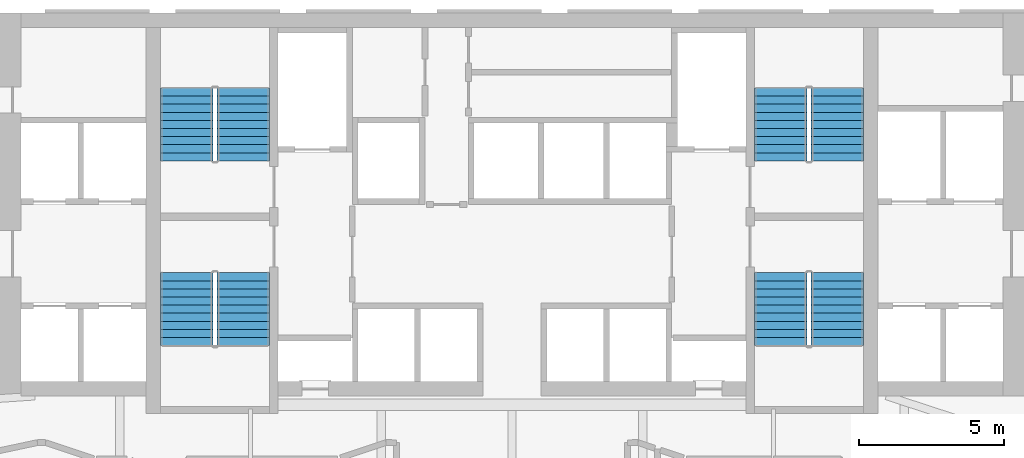
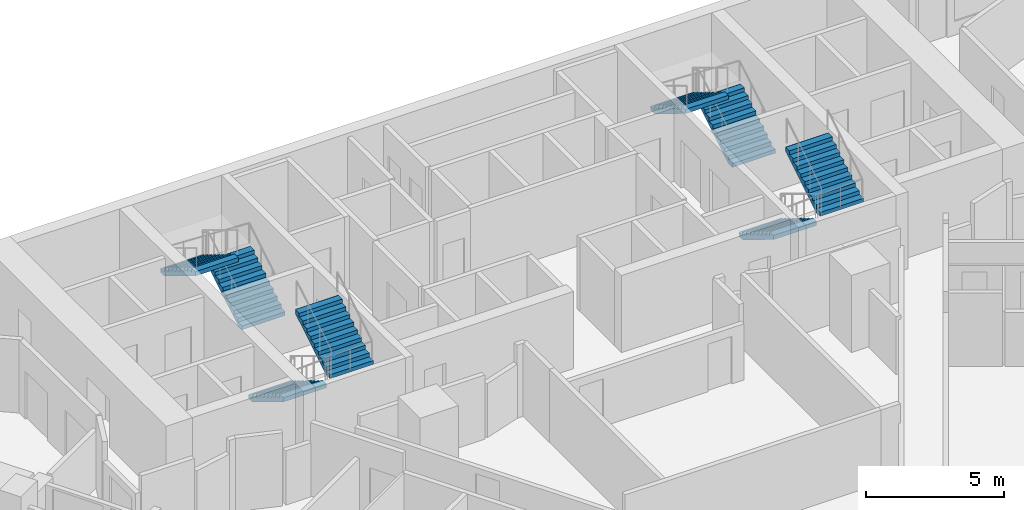
# One storey, part 9 of 10: 8 stair flights, 4 elements without a shape of their own.
"""IFC4 building model written with IfcOpenShell, lengths in metres."""

from ifc_helpers import new_model, si_unit, direction, frame, origin, place, context, subcontext, project, spatial, faceted_brep, source, transform, mapped, material, type_object, element, aggregate, save


model = new_model("IFC4")

# Units and contexts
model_context = context("Model", 3, precision=1e-05, world=origin(), true_north=direction((0.0, 1.0)))
body_context = subcontext(model_context, "Body", "Model", "MODEL_VIEW")
ifc_project = project(units=[si_unit("LENGTHUNIT", "METRE"), si_unit("AREAUNIT", "SQUARE_METRE"), si_unit("VOLUMEUNIT", "CUBIC_METRE"), si_unit("PLANEANGLEUNIT", "RADIAN"), si_unit("MASSUNIT", "GRAM", prefix="KILO")], contexts=[model_context])

# Site, building, storey
site_placement = place(None, origin())
site = spatial("IfcSite", under=ifc_project, at=site_placement, CompositionType="ELEMENT")
building_placement = place(site_placement, origin())
building = spatial("IfcBuilding", under=site, at=building_placement, Name="Calabash Gate Tower", CompositionType="ELEMENT")
storey_placement = place(building_placement, frame((0.0, 0.0, 56.199951171875)))
storey = spatial("IfcBuildingStorey", under=building, at=storey_placement, Name="L09", CompositionType="ELEMENT", Elevation=56.199951171875)

# Stair, stair flights
ifc_material_1 = material(Name="Concrete C40/50", Category="concrete")
stair_type = type_object("IfcStairType", Name="Exit stair 20 risers of 170 mm", PredefinedType="HALF_TURN_STAIR", material=ifc_material_1)
stair_1_placement = place(storey_placement, origin())
stair_1 = element("IfcStair", 1, at=stair_1_placement, inside=storey, type_object=stair_type, Name="L09 Exit stair ST1", PredefinedType="HALF_TURN_STAIR")
ifc_material_2 = material(Name="Concrete C40/50", Category="concrete")
stair_flight_type = type_object("IfcStairFlightType", Name="Exit stair flight SFL", PredefinedType="STRAIGHT", material=ifc_material_2)
shared_shape = source(origin(), body_context, "Body", "Brep", [
    faceted_brep([(-0.0009765625, -0.89990234375, 0.0), (0.2880859375, -0.89990234375, 0.0), (2.511962890625, -0.89990234375, 1.3544921875), (-0.0009765625, 0.89990234375, 0.0), (2.511962890625, 0.89990234375, 1.3544921875), (0.2880859375, 0.89990234375, 0.0), (2.511962890625, -0.89990234375, 1.5419921875), (2.510986328125, -0.89990234375, 1.5419921875), (2.510986328125, 0.89990234375, 1.5419921875), (2.511962890625, 0.89990234375, 1.5419921875), (2.510986328125, -0.89990234375, 1.530029296875), (2.510986328125, 0.89990234375, 1.530029296875), (2.23193359375, -0.89990234375, 1.530029296875), (2.23193359375, 0.89990234375, 1.530029296875), (2.23193359375, -0.89990234375, 1.360107421875), (2.23193359375, 0.89990234375, 1.360107421875), (1.952880859375, -0.89990234375, 1.360107421875), (1.952880859375, 0.89990234375, 1.360107421875), (1.952880859375, -0.89990234375, 1.18994140625), (1.952880859375, 0.89990234375, 1.18994140625), (1.674072265625, -0.89990234375, 1.18994140625), (1.674072265625, -0.89990234375, 1.02001953125), (1.674072265625, 0.89990234375, 1.02001953125), (1.674072265625, 0.89990234375, 1.18994140625), (1.39501953125, -0.89990234375, 1.02001953125), (1.39501953125, -0.89990234375, 0.85009765625), (1.39501953125, 0.89990234375, 0.85009765625), (1.39501953125, 0.89990234375, 1.02001953125), (1.115966796875, -0.89990234375, 0.85009765625), (1.115966796875, -0.89990234375, 0.679931640625), (1.115966796875, 0.89990234375, 0.679931640625), (1.115966796875, 0.89990234375, 0.85009765625), (0.8369140625, -0.89990234375, 0.679931640625), (0.8369140625, -0.89990234375, 0.510009765625), (0.8369140625, 0.89990234375, 0.510009765625), (0.8369140625, 0.89990234375, 0.679931640625), (0.55810546875, -0.89990234375, 0.510009765625), (0.55810546875, -0.89990234375, 0.340087890625), (0.55810546875, 0.89990234375, 0.340087890625), (0.55810546875, 0.89990234375, 0.510009765625), (0.279052734375, -0.89990234375, 0.340087890625), (0.279052734375, -0.89990234375, 0.169921875), (0.279052734375, 0.89990234375, 0.169921875), (0.279052734375, 0.89990234375, 0.340087890625), (-0.0009765625, -0.89990234375, 0.169921875), (-0.0009765625, 0.89990234375, 0.169921875), (0.2880859375, -0.360107421875, 0.0), (2.511962890625, -0.360107421875, 1.3544921875), (0.2880859375, -0.179931640625, 0.0), (2.511962890625, -0.179931640625, 1.3544921875), (0.2880859375, 0.0, 0.0), (2.511962890625, 0.0, 1.3544921875), (0.2880859375, 0.179931640625, 0.0), (2.511962890625, 0.179931640625, 1.3544921875), (0.2880859375, 0.360107421875, 0.0), (2.511962890625, 0.360107421875, 1.3544921875), (2.511962890625, -0.360107421875, 1.5419921875), (2.511962890625, -0.179931640625, 1.5419921875), (2.511962890625, 0.0, 1.5419921875), (2.511962890625, 0.179931640625, 1.5419921875), (2.511962890625, 0.360107421875, 1.5419921875), (2.510986328125, -0.360107421875, 1.5419921875), (2.510986328125, -0.179931640625, 1.5419921875), (2.510986328125, 0.0, 1.5419921875), (2.510986328125, 0.179931640625, 1.5419921875), (2.510986328125, 0.360107421875, 1.5419921875), (2.510986328125, -0.360107421875, 1.530029296875), (2.510986328125, -0.179931640625, 1.530029296875), (2.510986328125, 0.0, 1.530029296875), (2.510986328125, 0.179931640625, 1.530029296875), (2.510986328125, 0.360107421875, 1.530029296875), (2.23193359375, -0.360107421875, 1.530029296875), (2.23193359375, -0.179931640625, 1.530029296875), (2.23193359375, 0.0, 1.530029296875), (2.23193359375, 0.179931640625, 1.530029296875), (2.23193359375, 0.360107421875, 1.530029296875), (2.23193359375, -0.360107421875, 1.360107421875), (2.23193359375, -0.179931640625, 1.360107421875), (2.23193359375, 0.0, 1.360107421875), (2.23193359375, 0.179931640625, 1.360107421875), (2.23193359375, 0.360107421875, 1.360107421875), (1.952880859375, -0.360107421875, 1.360107421875), (1.952880859375, -0.179931640625, 1.360107421875), (1.952880859375, 0.0, 1.360107421875), (1.952880859375, 0.179931640625, 1.360107421875), (1.952880859375, 0.360107421875, 1.360107421875), (1.952880859375, -0.360107421875, 1.18994140625), (1.952880859375, -0.179931640625, 1.18994140625), (1.952880859375, 0.0, 1.18994140625), (1.952880859375, 0.179931640625, 1.18994140625), (1.952880859375, 0.360107421875, 1.18994140625), (1.674072265625, -0.360107421875, 1.18994140625), (1.674072265625, -0.179931640625, 1.18994140625), (1.674072265625, 0.0, 1.18994140625), (1.674072265625, 0.179931640625, 1.18994140625), (1.674072265625, 0.360107421875, 1.18994140625), (1.674072265625, -0.360107421875, 1.02001953125), (1.674072265625, -0.179931640625, 1.02001953125), (1.674072265625, 0.0, 1.02001953125), (1.674072265625, 0.179931640625, 1.02001953125), (1.674072265625, 0.360107421875, 1.02001953125), (1.39501953125, -0.360107421875, 1.02001953125), (1.39501953125, -0.179931640625, 1.02001953125), (1.39501953125, 0.0, 1.02001953125), (1.39501953125, 0.179931640625, 1.02001953125), (1.39501953125, 0.360107421875, 1.02001953125), (1.39501953125, -0.360107421875, 0.85009765625), (1.39501953125, -0.179931640625, 0.85009765625), (1.39501953125, 0.0, 0.85009765625), (1.39501953125, 0.179931640625, 0.85009765625), (1.39501953125, 0.360107421875, 0.85009765625), (1.115966796875, -0.360107421875, 0.85009765625), (1.115966796875, -0.179931640625, 0.85009765625), (1.115966796875, 0.0, 0.85009765625), (1.115966796875, 0.179931640625, 0.85009765625), (1.115966796875, 0.360107421875, 0.85009765625), (1.115966796875, -0.360107421875, 0.679931640625), (1.115966796875, -0.179931640625, 0.679931640625), (1.115966796875, 0.0, 0.679931640625), (1.115966796875, 0.179931640625, 0.679931640625), (1.115966796875, 0.360107421875, 0.679931640625), (0.8369140625, -0.360107421875, 0.679931640625), (0.8369140625, -0.179931640625, 0.679931640625), (0.8369140625, 0.0, 0.679931640625), (0.8369140625, 0.179931640625, 0.679931640625), (0.8369140625, 0.360107421875, 0.679931640625), (0.8369140625, -0.360107421875, 0.510009765625), (0.8369140625, -0.179931640625, 0.510009765625), (0.8369140625, 0.0, 0.510009765625), (0.8369140625, 0.179931640625, 0.510009765625), (0.8369140625, 0.360107421875, 0.510009765625), (0.55810546875, -0.360107421875, 0.510009765625), (0.55810546875, -0.179931640625, 0.510009765625), (0.55810546875, 0.0, 0.510009765625), (0.55810546875, 0.179931640625, 0.510009765625), (0.55810546875, 0.360107421875, 0.510009765625), (0.55810546875, -0.360107421875, 0.340087890625), (0.55810546875, -0.179931640625, 0.340087890625), (0.55810546875, 0.0, 0.340087890625), (0.55810546875, 0.179931640625, 0.340087890625), (0.55810546875, 0.360107421875, 0.340087890625), (0.279052734375, -0.360107421875, 0.340087890625), (0.279052734375, -0.179931640625, 0.340087890625), (0.279052734375, 0.0, 0.340087890625), (0.279052734375, 0.179931640625, 0.340087890625), (0.279052734375, 0.360107421875, 0.340087890625), (0.279052734375, -0.360107421875, 0.169921875), (0.279052734375, -0.179931640625, 0.169921875), (0.279052734375, 0.0, 0.169921875), (0.279052734375, 0.179931640625, 0.169921875), (0.279052734375, 0.360107421875, 0.169921875), (-0.0009765625, -0.360107421875, 0.169921875), (-0.0009765625, -0.179931640625, 0.169921875), (-0.0009765625, 0.0, 0.169921875), (-0.0009765625, 0.179931640625, 0.169921875), (-0.0009765625, 0.360107421875, 0.169921875), (-0.0009765625, -0.360107421875, 0.0), (-0.0009765625, -0.179931640625, 0.0), (-0.0009765625, 0.0, 0.0), (-0.0009765625, 0.179931640625, 0.0), (-0.0009765625, 0.360107421875, 0.0)], [[[0, 1, 2]], [[3, 4, 5]], [[2, 6, 7]], [[4, 8, 9]], [[2, 7, 10]], [[4, 11, 8]], [[2, 10, 12]], [[4, 13, 11]], [[2, 12, 14]], [[4, 15, 13]], [[2, 14, 16]], [[4, 17, 15]], [[2, 16, 18]], [[4, 19, 17]], [[18, 20, 21]], [[19, 22, 23]], [[2, 18, 21]], [[4, 22, 19]], [[21, 24, 25]], [[22, 26, 27]], [[2, 21, 25]], [[4, 26, 22]], [[25, 28, 29]], [[26, 30, 31]], [[2, 25, 29]], [[4, 30, 26]], [[29, 32, 33]], [[30, 34, 35]], [[2, 29, 33]], [[4, 34, 30]], [[33, 36, 37]], [[34, 38, 39]], [[2, 33, 37]], [[4, 38, 34]], [[37, 40, 41]], [[38, 42, 43]], [[2, 37, 41]], [[4, 42, 38]], [[0, 2, 41]], [[3, 42, 4]], [[41, 44, 0]], [[42, 3, 45]], [[1, 46, 2]], [[46, 47, 2]], [[46, 48, 47]], [[48, 49, 47]], [[48, 50, 49]], [[50, 51, 49]], [[50, 52, 53]], [[50, 53, 51]], [[52, 54, 55]], [[52, 55, 53]], [[54, 5, 4]], [[54, 4, 55]], [[2, 47, 6]], [[47, 56, 6]], [[47, 49, 56]], [[49, 57, 56]], [[49, 51, 57]], [[51, 58, 57]], [[51, 53, 59]], [[51, 59, 58]], [[53, 55, 60]], [[53, 60, 59]], [[55, 4, 9]], [[55, 9, 60]], [[6, 56, 7]], [[56, 61, 7]], [[56, 57, 61]], [[57, 62, 61]], [[57, 58, 62]], [[58, 63, 62]], [[58, 59, 64]], [[58, 64, 63]], [[59, 60, 65]], [[59, 65, 64]], [[60, 9, 8]], [[60, 8, 65]], [[7, 61, 10]], [[61, 66, 10]], [[61, 62, 66]], [[62, 67, 66]], [[62, 63, 67]], [[63, 68, 67]], [[63, 64, 69]], [[63, 69, 68]], [[64, 65, 70]], [[64, 70, 69]], [[65, 8, 11]], [[65, 11, 70]], [[10, 66, 12]], [[66, 71, 12]], [[66, 67, 71]], [[67, 72, 71]], [[67, 68, 72]], [[68, 73, 72]], [[68, 69, 74]], [[68, 74, 73]], [[69, 70, 75]], [[69, 75, 74]], [[70, 11, 13]], [[70, 13, 75]], [[12, 71, 14]], [[71, 76, 14]], [[71, 72, 76]], [[72, 77, 76]], [[72, 73, 77]], [[73, 78, 77]], [[73, 74, 79]], [[73, 79, 78]], [[74, 75, 80]], [[74, 80, 79]], [[75, 13, 15]], [[75, 15, 80]], [[14, 76, 16]], [[76, 81, 16]], [[76, 77, 81]], [[77, 82, 81]], [[77, 78, 82]], [[78, 83, 82]], [[78, 79, 84]], [[78, 84, 83]], [[79, 80, 85]], [[79, 85, 84]], [[80, 15, 17]], [[80, 17, 85]], [[16, 81, 18]], [[81, 86, 18]], [[81, 82, 86]], [[82, 87, 86]], [[82, 83, 87]], [[83, 88, 87]], [[83, 84, 89]], [[83, 89, 88]], [[84, 85, 90]], [[84, 90, 89]], [[85, 17, 19]], [[85, 19, 90]], [[18, 86, 20]], [[86, 91, 20]], [[86, 87, 91]], [[87, 92, 91]], [[87, 88, 92]], [[88, 93, 92]], [[88, 89, 94]], [[88, 94, 93]], [[89, 90, 95]], [[89, 95, 94]], [[90, 19, 23]], [[90, 23, 95]], [[20, 91, 21]], [[91, 96, 21]], [[91, 92, 96]], [[92, 97, 96]], [[92, 93, 97]], [[93, 98, 97]], [[93, 94, 99]], [[93, 99, 98]], [[94, 95, 100]], [[94, 100, 99]], [[95, 23, 22]], [[95, 22, 100]], [[21, 96, 24]], [[96, 101, 24]], [[96, 97, 101]], [[97, 102, 101]], [[97, 98, 102]], [[98, 103, 102]], [[98, 99, 104]], [[98, 104, 103]], [[99, 100, 105]], [[99, 105, 104]], [[100, 22, 27]], [[100, 27, 105]], [[24, 101, 25]], [[101, 106, 25]], [[101, 102, 106]], [[102, 107, 106]], [[102, 103, 107]], [[103, 108, 107]], [[103, 104, 109]], [[103, 109, 108]], [[104, 105, 110]], [[104, 110, 109]], [[105, 27, 26]], [[105, 26, 110]], [[25, 106, 28]], [[106, 111, 28]], [[106, 107, 111]], [[107, 112, 111]], [[107, 108, 112]], [[108, 113, 112]], [[108, 109, 114]], [[108, 114, 113]], [[109, 110, 115]], [[109, 115, 114]], [[110, 26, 31]], [[110, 31, 115]], [[28, 111, 29]], [[111, 116, 29]], [[111, 112, 116]], [[112, 117, 116]], [[112, 113, 117]], [[113, 118, 117]], [[113, 114, 119]], [[113, 119, 118]], [[114, 115, 120]], [[114, 120, 119]], [[115, 31, 30]], [[115, 30, 120]], [[29, 116, 32]], [[116, 121, 32]], [[116, 117, 121]], [[117, 122, 121]], [[117, 118, 122]], [[118, 123, 122]], [[118, 119, 124]], [[118, 124, 123]], [[119, 120, 125]], [[119, 125, 124]], [[120, 30, 35]], [[120, 35, 125]], [[32, 121, 33]], [[121, 126, 33]], [[121, 122, 126]], [[122, 127, 126]], [[122, 123, 127]], [[123, 128, 127]], [[123, 124, 129]], [[123, 129, 128]], [[124, 125, 130]], [[124, 130, 129]], [[125, 35, 34]], [[125, 34, 130]], [[33, 126, 36]], [[126, 131, 36]], [[126, 127, 131]], [[127, 132, 131]], [[127, 128, 132]], [[128, 133, 132]], [[128, 129, 134]], [[128, 134, 133]], [[129, 130, 135]], [[129, 135, 134]], [[130, 34, 39]], [[130, 39, 135]], [[36, 131, 37]], [[131, 136, 37]], [[131, 132, 136]], [[132, 137, 136]], [[132, 133, 137]], [[133, 138, 137]], [[133, 134, 139]], [[133, 139, 138]], [[134, 135, 140]], [[134, 140, 139]], [[135, 39, 38]], [[135, 38, 140]], [[37, 136, 40]], [[136, 141, 40]], [[136, 137, 141]], [[137, 142, 141]], [[137, 138, 142]], [[138, 143, 142]], [[138, 139, 144]], [[138, 144, 143]], [[139, 140, 145]], [[139, 145, 144]], [[140, 38, 43]], [[140, 43, 145]], [[40, 141, 41]], [[141, 146, 41]], [[141, 142, 146]], [[142, 147, 146]], [[142, 143, 147]], [[143, 148, 147]], [[143, 144, 149]], [[143, 149, 148]], [[144, 145, 150]], [[144, 150, 149]], [[145, 43, 42]], [[145, 42, 150]], [[41, 146, 44]], [[146, 151, 44]], [[146, 147, 151]], [[147, 152, 151]], [[147, 148, 152]], [[148, 153, 152]], [[148, 149, 154]], [[148, 154, 153]], [[149, 150, 155]], [[149, 155, 154]], [[150, 42, 45]], [[150, 45, 155]], [[44, 151, 0]], [[151, 156, 0]], [[151, 152, 156]], [[152, 157, 156]], [[152, 153, 157]], [[153, 158, 157]], [[153, 154, 159]], [[153, 159, 158]], [[154, 155, 160]], [[154, 160, 159]], [[155, 45, 3]], [[155, 3, 160]], [[0, 156, 1]], [[156, 46, 1]], [[156, 157, 46]], [[157, 48, 46]], [[157, 158, 48]], [[158, 50, 48]], [[158, 159, 52]], [[158, 52, 50]], [[159, 160, 54]], [[159, 54, 52]], [[160, 3, 5]], [[160, 5, 54]]]),
])
stair_flight_1_placement = place(storey_placement, frame((-9.25, 13.95263671875, 0.0), z_axis=(0.0, 0.0, 1.0), x_axis=(0.0, 1.0, 0.0)))
stair_flight_1 = element("IfcStairFlight", 2, at=stair_flight_1_placement, type_object=stair_flight_type, Name="ST1 flight 1", NumberOfRisers=10, NumberOfTreads=9, PredefinedType="STRAIGHT", RiserHeight=0.17, TreadLength=0.279, context=body_context, shape_type="MappedRepresentation", body=[
    mapped(shared_shape, transform((0.0, 0.0, 0.0), scale=1.0)),
])
stair_flight_2_placement = place(storey_placement, frame((-11.199951171875, 16.463623046875, 1.699951171875), z_axis=(0.0, 0.0, 1.0), x_axis=(0.0, -1.0, 0.0)))
stair_flight_2 = element("IfcStairFlight", 3, at=stair_flight_2_placement, type_object=stair_flight_type, Name="ST1 flight 2", NumberOfRisers=10, NumberOfTreads=9, PredefinedType="STRAIGHT", RiserHeight=0.17, TreadLength=0.279, context=body_context, shape_type="MappedRepresentation", body=[
    mapped(shared_shape, transform((0.0, 0.0, 0.0), scale=1.0)),
])
aggregate(stair_1, [stair_flight_1, stair_flight_2])

stair_2_placement = place(storey_placement, origin())
stair_2 = element("IfcStair", 4, at=stair_2_placement, inside=storey, type_object=stair_type, Name="L09 Exit stair ST2", PredefinedType="HALF_TURN_STAIR")
stair_flight_3_placement = place(storey_placement, frame((-11.199951171875, 10.1025390625, 0.0), z_axis=(0.0, 0.0, 1.0), x_axis=(0.0, -1.0, 0.0)))
stair_flight_3 = element("IfcStairFlight", 5, at=stair_flight_3_placement, type_object=stair_flight_type, Name="ST2 flight 1", NumberOfRisers=10, NumberOfTreads=9, PredefinedType="STRAIGHT", RiserHeight=0.17, TreadLength=0.279, context=body_context, shape_type="MappedRepresentation", body=[
    mapped(shared_shape, transform((0.0, 0.0, 0.0), scale=1.0)),
])
stair_flight_4_placement = place(storey_placement, frame((-9.25, 7.591552734375, 1.699951171875), z_axis=(0.0, 0.0, 1.0), x_axis=(0.0, 1.0, 0.0)))
stair_flight_4 = element("IfcStairFlight", 6, at=stair_flight_4_placement, type_object=stair_flight_type, Name="ST2 flight 2", NumberOfRisers=10, NumberOfTreads=9, PredefinedType="STRAIGHT", RiserHeight=0.17, TreadLength=0.279, context=body_context, shape_type="MappedRepresentation", body=[
    mapped(shared_shape, transform((0.0, 0.0, 0.0), scale=1.0)),
])
aggregate(stair_2, [stair_flight_3, stair_flight_4])

stair_3_placement = place(storey_placement, origin())
stair_3 = element("IfcStair", 7, at=stair_3_placement, inside=storey, type_object=stair_type, Name="L09 Exit stair ST3", PredefinedType="HALF_TURN_STAIR")
stair_flight_5_placement = place(storey_placement, frame((11.199951171875, 13.95263671875, 0.0), z_axis=(0.0, 0.0, 1.0), x_axis=(0.0, 1.0, 0.0)))
stair_flight_5 = element("IfcStairFlight", 8, at=stair_flight_5_placement, type_object=stair_flight_type, Name="ST3 flight 1", NumberOfRisers=10, NumberOfTreads=9, PredefinedType="STRAIGHT", RiserHeight=0.17, TreadLength=0.279, context=body_context, shape_type="MappedRepresentation", body=[
    mapped(shared_shape, transform((0.0, 0.0, 0.0), scale=1.0)),
])
stair_flight_6_placement = place(storey_placement, frame((9.25, 16.463623046875, 1.699951171875), z_axis=(0.0, 0.0, 1.0), x_axis=(0.0, -1.0, 0.0)))
stair_flight_6 = element("IfcStairFlight", 9, at=stair_flight_6_placement, type_object=stair_flight_type, Name="ST3 flight 2", NumberOfRisers=10, NumberOfTreads=9, PredefinedType="STRAIGHT", RiserHeight=0.17, TreadLength=0.279, context=body_context, shape_type="MappedRepresentation", body=[
    mapped(shared_shape, transform((0.0, 0.0, 0.0), scale=1.0)),
])
aggregate(stair_3, [stair_flight_5, stair_flight_6])

stair_4_placement = place(storey_placement, origin())
stair_4 = element("IfcStair", 10, at=stair_4_placement, inside=storey, type_object=stair_type, Name="L09 Exit stair ST4", PredefinedType="HALF_TURN_STAIR")
stair_flight_7_placement = place(storey_placement, frame((9.25, 10.1025390625, 0.0), z_axis=(0.0, 0.0, 1.0), x_axis=(0.0, -1.0, 0.0)))
stair_flight_7 = element("IfcStairFlight", 11, at=stair_flight_7_placement, type_object=stair_flight_type, Name="ST4 flight 1", NumberOfRisers=10, NumberOfTreads=9, PredefinedType="STRAIGHT", RiserHeight=0.17, TreadLength=0.279, context=body_context, shape_type="MappedRepresentation", body=[
    mapped(shared_shape, transform((0.0, 0.0, 0.0), scale=1.0)),
])
stair_flight_8_placement = place(storey_placement, frame((11.199951171875, 7.591552734375, 1.699951171875), z_axis=(0.0, 0.0, 1.0), x_axis=(0.0, 1.0, 0.0)))
stair_flight_8 = element("IfcStairFlight", 12, at=stair_flight_8_placement, type_object=stair_flight_type, Name="ST4 flight 2", NumberOfRisers=10, NumberOfTreads=9, PredefinedType="STRAIGHT", RiserHeight=0.17, TreadLength=0.279, context=body_context, shape_type="MappedRepresentation", body=[
    mapped(shared_shape, transform((0.0, 0.0, 0.0), scale=1.0)),
])
aggregate(stair_4, [stair_flight_7, stair_flight_8])

save(model, "model.ifc")
